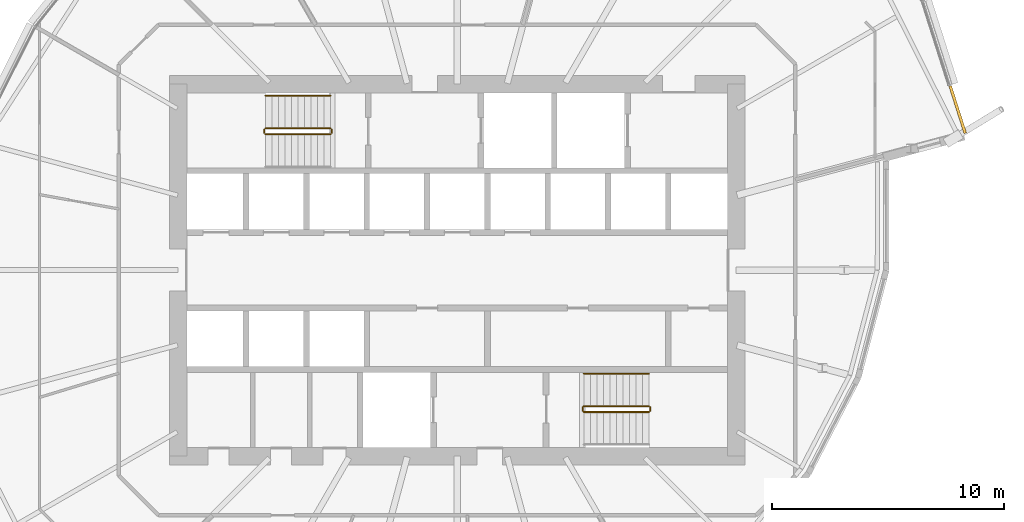
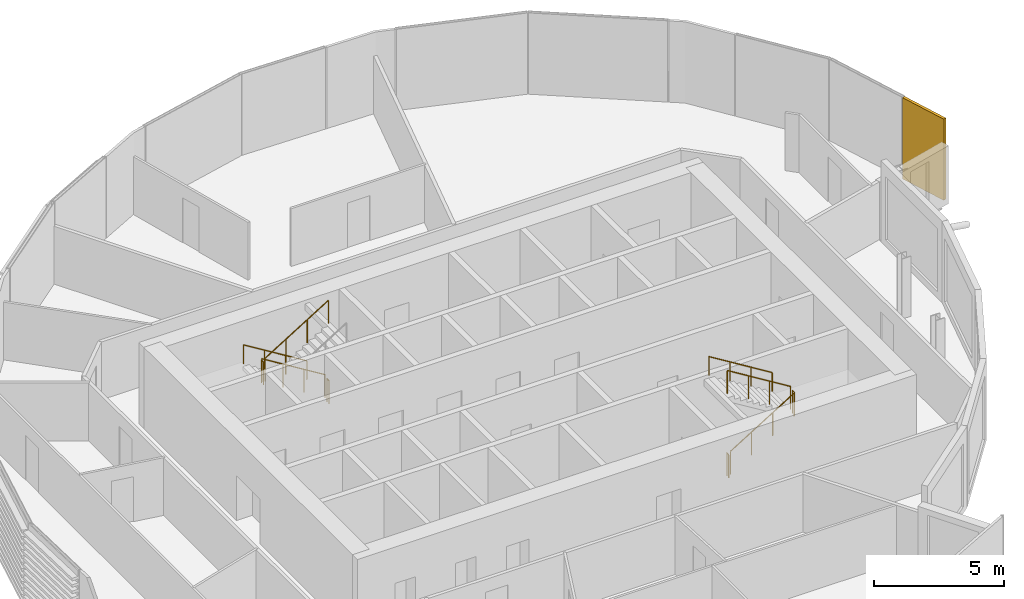
# One storey, part 37 of 38: 10 railings, 1 covering.
"""IFC4 building model written with IfcOpenShell, lengths in metres."""

from ifc_helpers import new_model, si_unit, direction, frame, origin, origin_2d, place, context, subcontext, project, spatial, polyline, circle, outline, extrude, material, layer, layer_set, type_object, element, save


model = new_model("IFC4")

# Units and contexts
model_context = context("Model", 3, precision=1e-05, world=origin(), true_north=direction((0.0, 1.0)))
body_context = subcontext(model_context, "Body", "Model", "MODEL_VIEW")
ifc_project = project(units=[si_unit("LENGTHUNIT", "METRE"), si_unit("AREAUNIT", "SQUARE_METRE"), si_unit("VOLUMEUNIT", "CUBIC_METRE"), si_unit("PLANEANGLEUNIT", "RADIAN"), si_unit("MASSUNIT", "GRAM", prefix="KILO")], contexts=[model_context])

# Site, building, storey
site_placement = place(None, origin())
site = spatial("IfcSite", under=ifc_project, at=site_placement, CompositionType="ELEMENT")
building_placement = place(site_placement, origin())
building = spatial("IfcBuilding", under=site, at=building_placement, Name="Rimbun Link Towers", CompositionType="ELEMENT")
storey_placement = place(building_placement, frame((0.0, 0.0, 108.199951171875)))
storey = spatial("IfcBuildingStorey", under=building, at=storey_placement, Name="L26", CompositionType="ELEMENT", Elevation=108.199951171875)

# Covering
ifc_material_1 = material(Name="Terracotta", Category="masonry")
ifc_layer = layer(ifc_material_1, 0.1201171875)
ifc_layer_set = layer_set([ifc_layer], Name="LINK PIER terracotta cladding 120")
covering_type = type_object("IfcCoveringType", Name="LINK PIER terracotta cladding 120", PredefinedType="CLADDING", material=ifc_layer_set)
covering_placement = place(storey_placement, origin())
element("IfcCovering", 1, at=covering_placement, inside=storey, type_object=covering_type, Name="LINK PIER cladding", PredefinedType="CLADDING", context=body_context, shape_type="SweptSolid", body=[
    extrude(outline(polyline([(52.89892578125, 7.910888671875), (53.54736328125, 5.87158203125), (53.661865234375, 5.907958984375), (53.01318359375, 7.947265625), (52.89892578125, 7.910888671875)])), origin(), (0.0, 0.0, 1.0), 3.800048828125),
])

# Railings
ifc_material_2 = material(Name="Stainless steel grade 316", Category="steel")
railing_type_1 = type_object("IfcRailingType", Name="Stair guard", PredefinedType="GUARDRAIL", material=ifc_material_2)
railing_1_placement = place(storey_placement, frame((26.300048828125, 6.10009765625, 0.1728515625)))
element("IfcRailing", 2, at=railing_1_placement, inside=storey, type_object=railing_type_1, Name="L26 ST3 stair guard 1", PredefinedType="GUARDRAIL", context=body_context, shape_type="SweptSolid", body=[
    extrude(circle(Radius=0.02392578125, at=origin_2d()), frame((0.0, 0.0, 1.076171875), z_axis=(-0.851089632645, 0.0, 0.525020415988), x_axis=(0.0, -1.0, 0.0)), (0.0, 0.0, 1.0), 3.2900390625),
    extrude(circle(Radius=0.02099609375, at=origin_2d()), origin(), (0.0, 0.0, 1.0), 1.052001953125),
    extrude(circle(Radius=0.02099609375, at=origin_2d()), frame((-0.933349609375, 0.0, 0.57568359375)), (0.0, 0.0, 1.0), 1.052001953125),
    extrude(circle(Radius=0.02099609375, at=origin_2d()), frame((-1.86669921875, 0.0, 1.151611328125)), (0.0, 0.0, 1.0), 1.052001953125),
    extrude(circle(Radius=0.02099609375, at=origin_2d()), frame((-2.800048828125, 0.0, 1.727294921875)), (0.0, 0.0, 1.0), 1.052001953125),
])
railing_2_placement = place(storey_placement, frame((23.449951171875, 6.050048828125, 1.900146484375)))
element("IfcRailing", 3, at=railing_2_placement, inside=storey, type_object=railing_type_1, Name="L26 ST3 stair guard 2", PredefinedType="GUARDRAIL", context=body_context, shape_type="SweptSolid", body=[
    extrude(circle(Radius=0.02392578125, at=origin_2d()), frame((0.0, 0.0, 1.076171875), z_axis=(0.0, -1.0, 0.0), x_axis=(1.0, 0.0, 0.0)), (0.0, 0.0, 1.0), 0.150146484375),
    extrude(circle(Radius=0.02099609375, at=origin_2d()), origin(), (0.0, 0.0, 1.0), 1.052001953125),
    extrude(circle(Radius=0.02099609375, at=origin_2d()), frame((0.0, -0.150146484375, 0.0)), (0.0, 0.0, 1.0), 1.052001953125),
])
railing_3_placement = place(storey_placement, frame((23.5, 5.85009765625, 2.07275390625)))
element("IfcRailing", 4, at=railing_3_placement, inside=storey, type_object=railing_type_1, Name="L26 ST3 stair guard 3", PredefinedType="GUARDRAIL", context=body_context, shape_type="SweptSolid", body=[
    extrude(circle(Radius=0.02392578125, at=origin_2d()), frame((0.0, 0.0, 1.076171875), z_axis=(0.851089632645, 0.0, 0.525020415988), x_axis=(0.0, 1.0, 0.0)), (0.0, 0.0, 1.0), 3.2900390625),
    extrude(circle(Radius=0.02099609375, at=origin_2d()), origin(), (0.0, 0.0, 1.0), 1.052001953125),
    extrude(circle(Radius=0.02099609375, at=origin_2d()), frame((0.933349609375, 0.0, 0.57568359375)), (0.0, 0.0, 1.0), 1.052001953125),
    extrude(circle(Radius=0.02099609375, at=origin_2d()), frame((1.86669921875, 0.0, 1.151611328125)), (0.0, 0.0, 1.0), 1.052001953125),
    extrude(circle(Radius=0.02099609375, at=origin_2d()), frame((2.800048828125, 0.0, 1.727294921875)), (0.0, 0.0, 1.0), 1.052001953125),
])
railing_4_placement = place(storey_placement, frame((26.35009765625, 6.050048828125, 0.0)))
element("IfcRailing", 5, at=railing_4_placement, inside=storey, type_object=railing_type_1, Name="L26 ST3 stair guard 4", PredefinedType="GUARDRAIL", context=body_context, shape_type="SweptSolid", body=[
    extrude(circle(Radius=0.02392578125, at=origin_2d()), frame((0.0, 0.0, 1.076171875), z_axis=(0.0, -1.0, 0.0), x_axis=(1.0, 0.0, 0.0)), (0.0, 0.0, 1.0), 0.150146484375),
    extrude(circle(Radius=0.02099609375, at=origin_2d()), origin(), (0.0, 0.0, 1.0), 1.052001953125),
    extrude(circle(Radius=0.02099609375, at=origin_2d()), frame((0.0, -0.150146484375, 0.0)), (0.0, 0.0, 1.0), 1.052001953125),
])
railing_5_placement = place(storey_placement, frame((37.199951171875, -6.10009765625, 0.1728515625)))
element("IfcRailing", 6, at=railing_5_placement, inside=storey, type_object=railing_type_1, Name="L26 ST4 stair guard 1", PredefinedType="GUARDRAIL", context=body_context, shape_type="SweptSolid", body=[
    extrude(circle(Radius=0.02392578125, at=origin_2d()), frame((0.0, 0.0, 1.076171875), z_axis=(0.851089632645, 0.0, 0.525020415988), x_axis=(0.0, 1.0, 0.0)), (0.0, 0.0, 1.0), 3.2900390625),
    extrude(circle(Radius=0.02099609375, at=origin_2d()), origin(), (0.0, 0.0, 1.0), 1.052001953125),
    extrude(circle(Radius=0.02099609375, at=origin_2d()), frame((0.933349609375, 0.0, 0.57568359375)), (0.0, 0.0, 1.0), 1.052001953125),
    extrude(circle(Radius=0.02099609375, at=origin_2d()), frame((1.86669921875, 0.0, 1.151611328125)), (0.0, 0.0, 1.0), 1.052001953125),
    extrude(circle(Radius=0.02099609375, at=origin_2d()), frame((2.800048828125, 0.0, 1.727294921875)), (0.0, 0.0, 1.0), 1.052001953125),
])
railing_6_placement = place(storey_placement, frame((40.050048828125, -6.050048828125, 1.900146484375)))
element("IfcRailing", 7, at=railing_6_placement, inside=storey, type_object=railing_type_1, Name="L26 ST4 stair guard 2", PredefinedType="GUARDRAIL", context=body_context, shape_type="SweptSolid", body=[
    extrude(circle(Radius=0.02392578125, at=origin_2d()), frame((0.0, 0.0, 1.076171875), z_axis=(0.0, 1.0, 0.0), x_axis=(-1.0, 0.0, 0.0)), (0.0, 0.0, 1.0), 0.150146484375),
    extrude(circle(Radius=0.02099609375, at=origin_2d()), origin(), (0.0, 0.0, 1.0), 1.052001953125),
    extrude(circle(Radius=0.02099609375, at=origin_2d()), frame((0.0, 0.150146484375, 0.0)), (0.0, 0.0, 1.0), 1.052001953125),
])
railing_7_placement = place(storey_placement, frame((40.0, -5.85009765625, 2.07275390625)))
element("IfcRailing", 8, at=railing_7_placement, inside=storey, type_object=railing_type_1, Name="L26 ST4 stair guard 3", PredefinedType="GUARDRAIL", context=body_context, shape_type="SweptSolid", body=[
    extrude(circle(Radius=0.02392578125, at=origin_2d()), frame((0.0, 0.0, 1.076171875), z_axis=(-0.851089632645, 0.0, 0.525020415988), x_axis=(0.0, -1.0, 0.0)), (0.0, 0.0, 1.0), 3.2900390625),
    extrude(circle(Radius=0.02099609375, at=origin_2d()), origin(), (0.0, 0.0, 1.0), 1.052001953125),
    extrude(circle(Radius=0.02099609375, at=origin_2d()), frame((-0.933349609375, 0.0, 0.57568359375)), (0.0, 0.0, 1.0), 1.052001953125),
    extrude(circle(Radius=0.02099609375, at=origin_2d()), frame((-1.86669921875, 0.0, 1.151611328125)), (0.0, 0.0, 1.0), 1.052001953125),
    extrude(circle(Radius=0.02099609375, at=origin_2d()), frame((-2.800048828125, 0.0, 1.727294921875)), (0.0, 0.0, 1.0), 1.052001953125),
])
railing_8_placement = place(storey_placement, frame((37.14990234375, -6.050048828125, 0.0)))
element("IfcRailing", 9, at=railing_8_placement, inside=storey, type_object=railing_type_1, Name="L26 ST4 stair guard 4", PredefinedType="GUARDRAIL", context=body_context, shape_type="SweptSolid", body=[
    extrude(circle(Radius=0.02392578125, at=origin_2d()), frame((0.0, 0.0, 1.076171875), z_axis=(0.0, 1.0, 0.0), x_axis=(-1.0, 0.0, 0.0)), (0.0, 0.0, 1.0), 0.150146484375),
    extrude(circle(Radius=0.02099609375, at=origin_2d()), origin(), (0.0, 0.0, 1.0), 1.052001953125),
    extrude(circle(Radius=0.02099609375, at=origin_2d()), frame((0.0, 0.150146484375, 0.0)), (0.0, 0.0, 1.0), 1.052001953125),
])
ifc_material_3 = material(Name="Stainless steel grade 316", Category="steel")
railing_type_2 = type_object("IfcRailingType", Name="Stair handrail", PredefinedType="HANDRAIL", material=ifc_material_3)
for number, where, name in (
    (10, (26.300048828125, 7.5, 0.1728515625), "L26 ST3 stair handrail 1"),
    (11, (40.0, -4.449951171875, 2.07275390625), "L26 ST4 stair handrail 2"),
):
    element("IfcRailing", number, at=place(storey_placement, frame(where)), inside=storey, type_object=railing_type_2, Name=name, PredefinedType="HANDRAIL", context=body_context, shape_type="SweptSolid", body=[
        extrude(circle(Radius=0.02392578125, at=origin_2d()), frame((0.0, 0.0, 0.8759765625), z_axis=(-0.851089632645, 0.0, 0.525020415988), x_axis=(0.0, -1.0, 0.0)), (0.0, 0.0, 1.0), 3.2900390625),
        extrude(circle(Radius=0.02099609375, at=origin_2d()), origin(), (0.0, 0.0, 1.0), 0.851806640625),
        extrude(circle(Radius=0.02099609375, at=origin_2d()), frame((-0.933349609375, 0.0, 0.57568359375)), (0.0, 0.0, 1.0), 0.851806640625),
        extrude(circle(Radius=0.02099609375, at=origin_2d()), frame((-1.86669921875, 0.0, 1.151611328125)), (0.0, 0.0, 1.0), 0.851806640625),
        extrude(circle(Radius=0.02099609375, at=origin_2d()), frame((-2.800048828125, 0.0, 1.727294921875)), (0.0, 0.0, 1.0), 0.851806640625),
    ])

save(model, "model.ifc")
